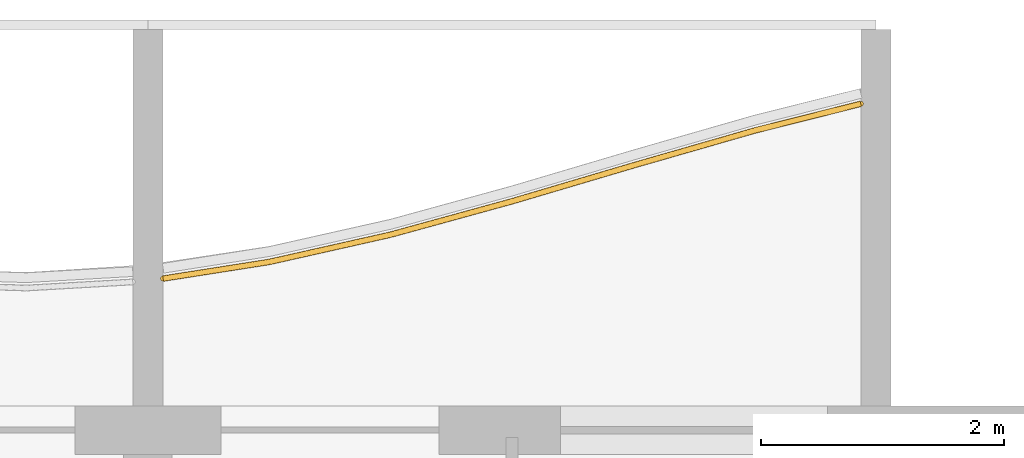
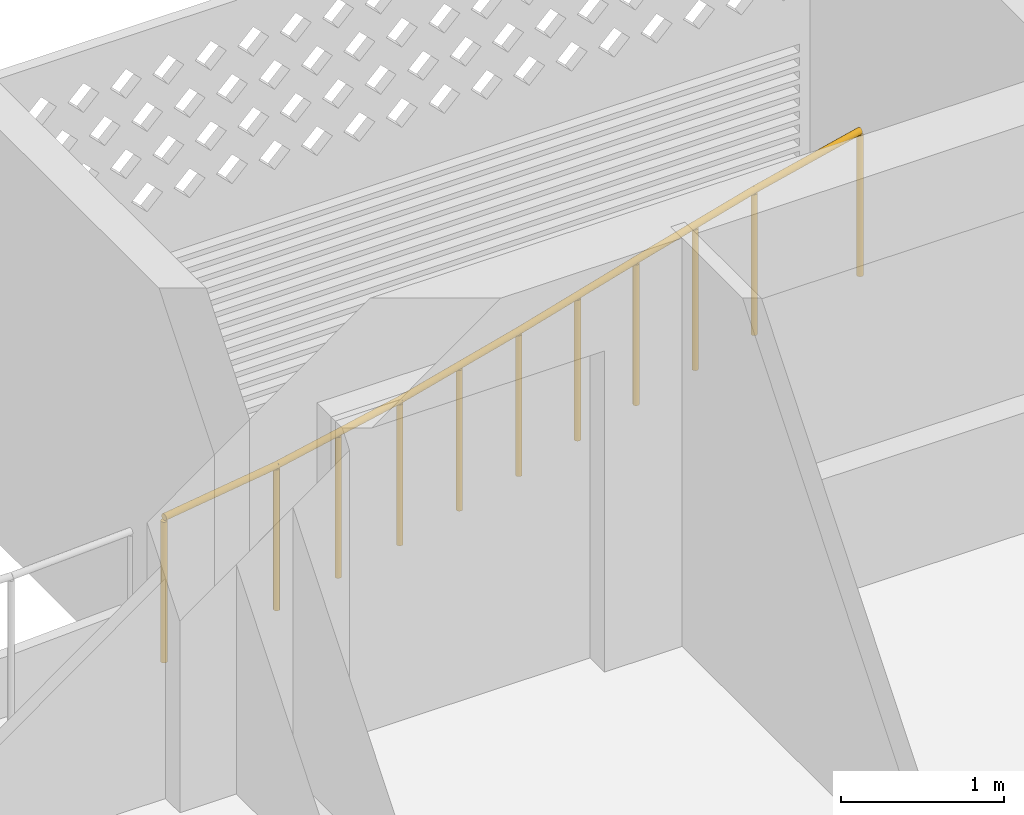
# One storey, part 43 of 44: 1 railing.
"""IFC4 building model written with IfcOpenShell, lengths in metres."""

from ifc_helpers import new_model, si_unit, direction, frame, origin, origin_2d, place, context, subcontext, project, spatial, circle, extrude, material, type_object, element, save


model = new_model("IFC4")

# Units and contexts
model_context = context("Model", 3, precision=1e-05, world=origin(), true_north=direction((0.0, 1.0)))
body_context = subcontext(model_context, "Body", "Model", "MODEL_VIEW")
ifc_project = project(units=[si_unit("LENGTHUNIT", "METRE"), si_unit("AREAUNIT", "SQUARE_METRE"), si_unit("VOLUMEUNIT", "CUBIC_METRE"), si_unit("PLANEANGLEUNIT", "RADIAN"), si_unit("MASSUNIT", "GRAM", prefix="KILO")], contexts=[model_context])

# Site, building, storey
site_placement = place(None, origin())
site = spatial("IfcSite", under=ifc_project, at=site_placement, CompositionType="ELEMENT")
building_placement = place(site_placement, origin())
building = spatial("IfcBuilding", under=site, at=building_placement, Name="Poui Terraces", CompositionType="ELEMENT")
storey_placement = place(building_placement, frame((0.0, 0.0, 26.699951171875)))
storey = spatial("IfcBuildingStorey", under=building, at=storey_placement, Name="L06", CompositionType="ELEMENT", Elevation=26.699951171875)

# Railing
ifc_material = material(Name="Painted steel fretwork", Category="steel")
railing_type = type_object("IfcRailingType", Name="BALCONY GUARD 1100", PredefinedType="GUARDRAIL", material=ifc_material)
railing_placement = place(storey_placement, frame((90.125, 46.049072265625, 0.0)))
element("IfcRailing", 1, at=railing_placement, inside=storey, type_object=railing_type, Name="BALCONY GUARD", PredefinedType="GUARDRAIL", context=body_context, shape_type="SweptSolid", body=[
    extrude(circle(Radius=0.02392578125, at=origin_2d()), frame((0.0, 0.0, 1.076171875), z_axis=(0.987927799636, 0.154915017689, 0.0), x_axis=(-0.154915017689, 0.987927799636, 0.0)), (0.0, 0.0, 1.0), 0.8857421875),
    extrude(circle(Radius=0.02392578125, at=origin_2d()), frame((0.875, 0.13720703125, 1.076171875), z_axis=(0.975640353268, 0.219376163418, 0.0), x_axis=(-0.219376163418, 0.975640353268, 0.0)), (0.0, 0.0, 1.0), 1.02490234375),
    extrude(circle(Radius=0.02392578125, at=origin_2d()), frame((1.875, 0.362060546875, 1.076171875), z_axis=(0.964289609145, 0.26485005134, 0.0), x_axis=(-0.26485005134, 0.964289609145, 0.0)), (0.0, 0.0, 1.0), 1.037109375),
    extrude(circle(Radius=0.02392578125, at=origin_2d()), frame((2.875, 0.63671875, 1.076171875), z_axis=(0.958901964879, 0.283737593123, 0.0), x_axis=(-0.283737593123, 0.958901964879, 0.0)), (0.0, 0.0, 1.0), 1.04296875),
    extrude(circle(Radius=0.02392578125, at=origin_2d()), frame((3.875, 0.9326171875, 1.076171875), z_axis=(0.961106681232, 0.276177383743, 0.0), x_axis=(-0.276177383743, 0.961106681232, 0.0)), (0.0, 0.0, 1.0), 1.04052734375),
    extrude(circle(Radius=0.02392578125, at=origin_2d()), frame((4.875, 1.219970703125, 1.076171875), z_axis=(0.969695230547, 0.244317743634, 0.0), x_axis=(-0.244317743634, 0.969695230547, 0.0)), (0.0, 0.0, 1.0), 0.90234375),
    extrude(circle(Radius=0.02099609375, at=origin_2d()), origin(), (0.0, 0.0, 1.0), 1.052001953125),
    extrude(circle(Radius=0.02099609375, at=origin_2d()), frame((0.875, 0.13720703125, 0.0)), (0.0, 0.0, 1.0), 1.052001953125),
    extrude(circle(Radius=0.02099609375, at=origin_2d()), frame((1.375, 0.24951171875, 0.0)), (0.0, 0.0, 1.0), 1.052001953125),
    extrude(circle(Radius=0.02099609375, at=origin_2d()), frame((1.875, 0.362060546875, 0.0)), (0.0, 0.0, 1.0), 1.052001953125),
    extrude(circle(Radius=0.02099609375, at=origin_2d()), frame((2.375, 0.49951171875, 0.0)), (0.0, 0.0, 1.0), 1.052001953125),
    extrude(circle(Radius=0.02099609375, at=origin_2d()), frame((2.875, 0.63671875, 0.0)), (0.0, 0.0, 1.0), 1.052001953125),
    extrude(circle(Radius=0.02099609375, at=origin_2d()), frame((3.375, 0.78466796875, 0.0)), (0.0, 0.0, 1.0), 1.052001953125),
    extrude(circle(Radius=0.02099609375, at=origin_2d()), frame((3.875, 0.9326171875, 0.0)), (0.0, 0.0, 1.0), 1.052001953125),
    extrude(circle(Radius=0.02099609375, at=origin_2d()), frame((4.375, 1.076171875, 0.0)), (0.0, 0.0, 1.0), 1.052001953125),
    extrude(circle(Radius=0.02099609375, at=origin_2d()), frame((4.875, 1.219970703125, 0.0)), (0.0, 0.0, 1.0), 1.052001953125),
    extrude(circle(Radius=0.02099609375, at=origin_2d()), frame((5.75, 1.4404296875, 0.0)), (0.0, 0.0, 1.0), 1.052001953125),
])

save(model, "model.ifc")
